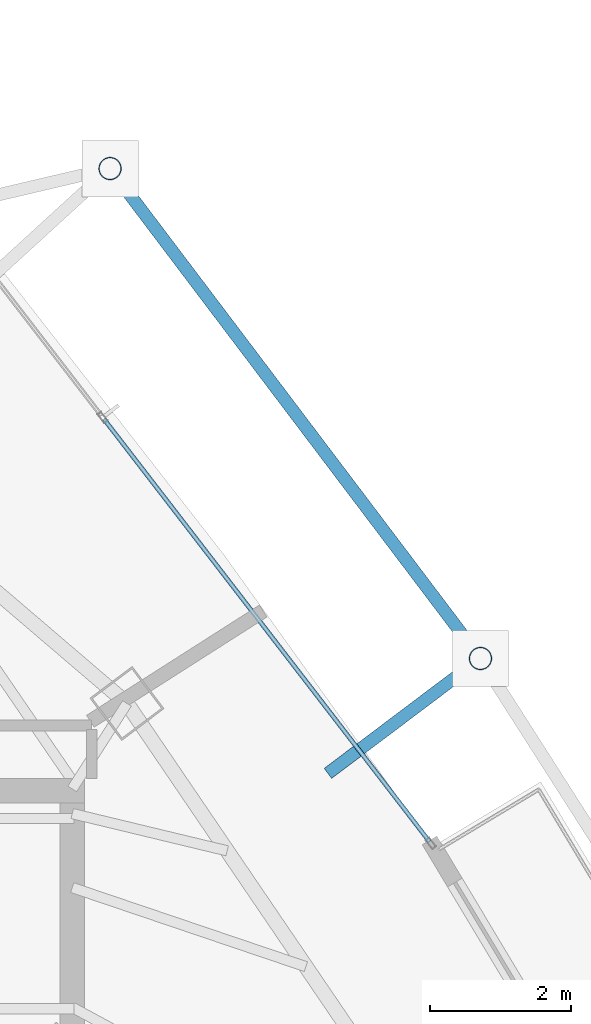
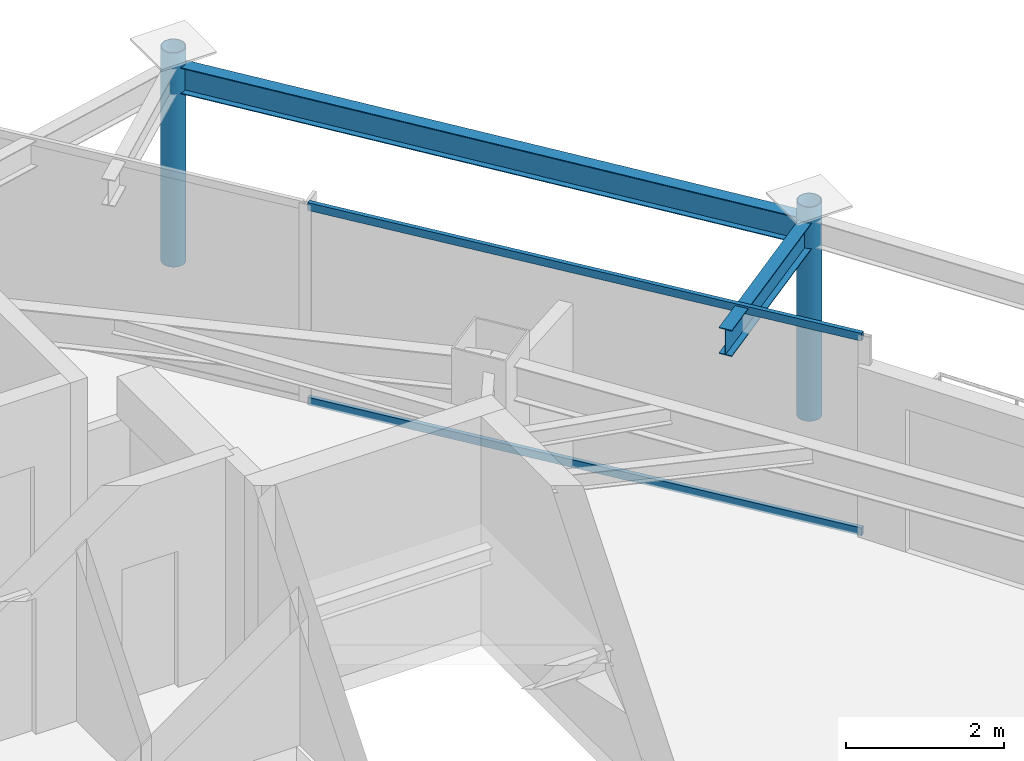
# One storey, part 26 of 33: 4 members, 2 beams, 1 element without a shape of its own.
"""IFC4 building model written with IfcOpenShell, lengths in metres."""

from ifc_helpers import new_model, si_unit, direction, frame, origin, origin_2d, place, context, subcontext, project, spatial, hollow_rectangle, hollow_circle, i_section, extrude, material, layer, layer_set, material_profile, profile_set, type_object, element, aggregate, save


model = new_model("IFC4")

# Units and contexts
model_context = context("Model", 3, precision=1e-05, world=origin(), true_north=direction((0.0, 1.0)))
body_context = subcontext(model_context, "Body", "Model", "MODEL_VIEW")
ifc_project = project(units=[si_unit("LENGTHUNIT", "METRE"), si_unit("AREAUNIT", "SQUARE_METRE"), si_unit("VOLUMEUNIT", "CUBIC_METRE"), si_unit("PLANEANGLEUNIT", "RADIAN"), si_unit("MASSUNIT", "GRAM", prefix="KILO")], contexts=[model_context])

# Site, building, storey
site_placement = place(None, origin())
site = spatial("IfcSite", under=ifc_project, at=site_placement, CompositionType="ELEMENT")
building_placement = place(site_placement, origin())
building = spatial("IfcBuilding", under=site, at=building_placement, Name="Orvanel Arch Residences", CompositionType="ELEMENT")
storey_placement = place(building_placement, frame((0.0, 0.0, 212.89990234375)))
storey = spatial("IfcBuildingStorey", under=building, at=storey_placement, Name="L60", CompositionType="ELEMENT", Elevation=212.89990234375)

# Beams
ifc_material_1 = material(Name="Structural steel AS/NZS 3679.1 Grade 300 (300 MPa)", Category="steel")
ifc_material_profile_1 = material_profile(ifc_material_1, i_section(OverallWidth=0.177978515625, OverallDepth=0.406005859375, WebThickness=0.0078125, FlangeThickness=0.0126953125, at=origin_2d()), Name="410UB59.7")
ifc_profile_set_1 = profile_set([ifc_material_profile_1], Name="Structural steel AS/NZS 3679.1 Grade 300 (300 MPa)")
beam_type = type_object("IfcBeamType", Name="OB-410UB-EXT", PredefinedType="SPANDREL", material=ifc_profile_set_1)
beam_1_placement = place(storey_placement, frame((43.2041015625, 34.1201171875, 2.857177734375), z_axis=(0.798711863477, 0.601713685353, 0.0), x_axis=(-0.601713685353, 0.798711863477, 0.0)))
element("IfcBeam", 1, at=beam_1_placement, inside=storey, type_object=beam_type, Name="L60 Outer Frame Radial Tie Beam 11", PredefinedType="SPANDREL", context=body_context, shape_type="SweptSolid", body=[
    extrude(i_section(OverallWidth=0.177978515625, OverallDepth=0.406005859375, WebThickness=0.0078125, FlangeThickness=0.0126953125, at=origin_2d()), origin(), (0.0, 0.0, 1.0), 2.71044921875),
])
beam_2_placement = place(storey_placement, frame((45.368896484375, 35.7509765625, 2.857177734375), z_axis=(-0.60307871819, 0.797681678156, 0.0), x_axis=(-0.797681678156, -0.60307871819, 0.0)))
element("IfcBeam", 2, at=beam_2_placement, inside=storey, type_object=beam_type, Name="L60 Outer Perimeter Floor Ring Beam 11", PredefinedType="SPANDREL", context=body_context, shape_type="SweptSolid", body=[
    extrude(i_section(OverallWidth=0.177978515625, OverallDepth=0.406005859375, WebThickness=0.0078125, FlangeThickness=0.0126953125, at=origin_2d()), origin(), (0.0, 0.0, 1.0), 8.716552734375),
])

# Members
ifc_material_2 = material(Name="Structural steel AS/NZS 1163 C350L0 (Grade 350)", Category="steel")
ifc_material_profile_2 = material_profile(ifc_material_2, hollow_circle(Radius=0.162109375, WallThickness=0.0126953125, at=origin_2d()), Name="CHS324x12.7")
ifc_profile_set_2 = profile_set([ifc_material_profile_2], Name="Structural steel AS/NZS 1163 C350L0 (Grade 350)")
member_type_1 = type_object("IfcMemberType", Name="ST-324CHS-EXT", PredefinedType="STRUT", material=ifc_profile_set_2)
for number, where, z_axis, x_axis, name in (
    (3, (45.368896484375, 35.7509765625, 0.0), (0.0, 0.0, 1.0), (1.0, 0.0, 0.0), "L60 Outer Perimeter Frame Post 11"),
    (4, (40.112060546875, 42.7041015625, 0.0), (0.0, 0.0, 1.0), (1.0, 0.0, 0.0), "L60 Outer Perimeter Frame Post 12"),
):
    element("IfcMember", number, at=place(storey_placement, frame(where, z_axis=z_axis, x_axis=x_axis)), inside=storey, type_object=member_type_1, Name=name, PredefinedType="STRUT", context=body_context, shape_type="SweptSolid", body=[
        extrude(hollow_circle(Radius=0.162109375, WallThickness=0.0126953125, at=origin_2d()), origin(), (0.0, 0.0, 1.0), 3.300048828125),
    ])

# Curtain wall, members
ifc_material_3 = material(Name="Bronze-anodised aluminium AA6063-T6", Category="aluminium")
ifc_layer = layer(ifc_material_3, 0.175048828125)
ifc_layer_set = layer_set([ifc_layer], Name="Bronze-anodised aluminium AA6063-T6")
curtain_wall_type = type_object("IfcCurtainWallType", Name="CW4-HI-SYS", PredefinedType="NOTDEFINED", material=ifc_layer_set)
curtain_wall_placement = place(storey_placement, origin())
curtain_wall = element("IfcCurtainWall", 5, at=curtain_wall_placement, inside=storey, type_object=curtain_wall_type, Name="L60 CW4-HI-SYS Unitised Curtain Wall", PredefinedType="NOTDEFINED")
ifc_material_profile_3 = material_profile(ifc_material_3, hollow_rectangle(XDim=0.06005859375, YDim=0.1201171875, WallThickness=0.00341796875, at=origin_2d()), Name="ALU120x60x3.5")
ifc_profile_set_3 = profile_set([ifc_material_profile_3], Name="Bronze-anodised aluminium AA6063-T6")
member_type_2 = type_object("IfcMemberType", Name="TRN-120x60", PredefinedType="USERDEFINED", material=ifc_profile_set_3)
member_1_placement = place(storey_placement, frame((44.645263671875, 33.152587890625, 0.030029296875), z_axis=(-0.610326524777, 0.792149943605, 0.0), x_axis=(-0.792149943605, -0.610326524777, 0.0)))
member_1 = element("IfcMember", 6, at=member_1_placement, type_object=member_type_2, Name="CW-S4 transom 1.1", ObjectType="TRANSOM", PredefinedType="USERDEFINED", context=body_context, shape_type="SweptSolid", body=[
    extrude(hollow_rectangle(XDim=0.06005859375, YDim=0.1201171875, WallThickness=0.00341796875, at=origin_2d()), origin(), (0.0, 0.0, 1.0), 7.56640625),
])
member_2_placement = place(storey_placement, frame((44.645263671875, 33.152587890625, 3.030029296875), z_axis=(-0.610326524777, 0.792149943605, 0.0), x_axis=(-0.792149943605, -0.610326524777, 0.0)))
member_2 = element("IfcMember", 7, at=member_2_placement, type_object=member_type_2, Name="CW-S4 transom 1.2", ObjectType="TRANSOM", PredefinedType="USERDEFINED", context=body_context, shape_type="SweptSolid", body=[
    extrude(hollow_rectangle(XDim=0.06005859375, YDim=0.1201171875, WallThickness=0.00341796875, at=origin_2d()), origin(), (0.0, 0.0, 1.0), 7.56640625),
])
aggregate(curtain_wall, [member_1, member_2])

save(model, "model.ifc")
